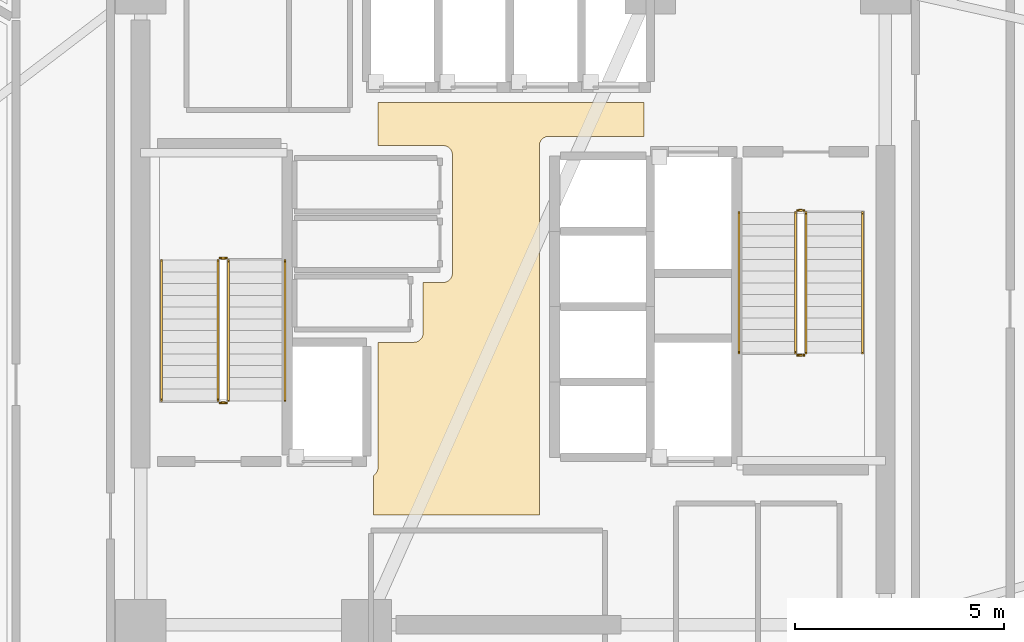
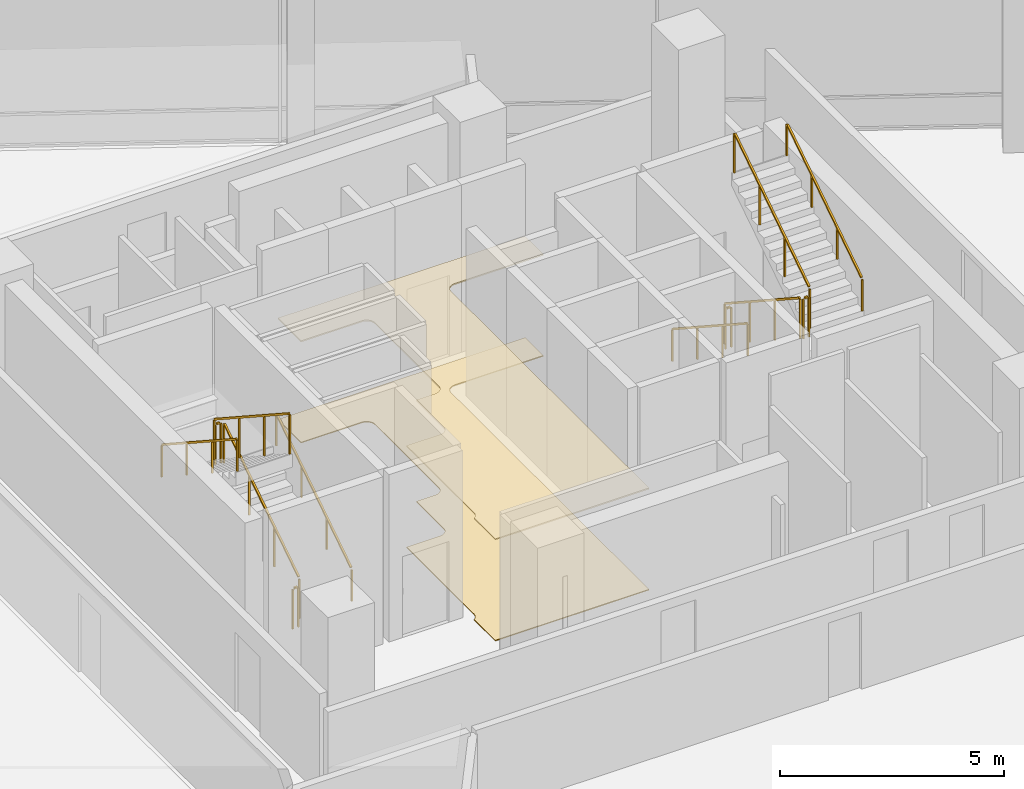
# One storey, part 18 of 19: 12 railings, 2 coverings.
"""IFC4 building model written with IfcOpenShell, lengths in metres."""

from ifc_helpers import new_model, si_unit, direction, frame, origin, origin_2d, place, context, subcontext, project, spatial, polyline, rectangle, outline, extrude, material, layer, layer_set, type_object, element, save


model = new_model("IFC4")

# Units and contexts
model_context = context("Model", 3, precision=1e-05, world=origin(), true_north=direction((0.0, 1.0)))
body_context = subcontext(model_context, "Body", "Model", "MODEL_VIEW")
ifc_project = project(units=[si_unit("LENGTHUNIT", "METRE"), si_unit("AREAUNIT", "SQUARE_METRE"), si_unit("VOLUMEUNIT", "CUBIC_METRE"), si_unit("PLANEANGLEUNIT", "RADIAN"), si_unit("MASSUNIT", "GRAM", prefix="KILO")], contexts=[model_context])

# Site, building, storey
site_placement = place(None, origin())
site = spatial("IfcSite", under=ifc_project, at=site_placement, CompositionType="ELEMENT")
building_placement = place(site_placement, origin())
building = spatial("IfcBuilding", under=site, at=building_placement, Name="Tharavind Bronze Gate", CompositionType="ELEMENT")
storey_placement = place(building_placement, frame((0.0, 0.0, 160.39990234375)))
storey = spatial("IfcBuildingStorey", under=building, at=storey_placement, Name="L41", CompositionType="ELEMENT", Elevation=160.39990234375)

# Coverings
ifc_material_1 = material(Name="Perforated Bronze Acoustic Panel", Category="bronze")
ifc_layer_1 = layer(ifc_material_1, 0.044921875)
ifc_layer_set_1 = layer_set([ifc_layer_1], Name="Perforated Bronze Acoustic Panel")
covering_type_1 = type_object("IfcCoveringType", Name="ACOUSTIC BRONZE BAFFLE CEILING", PredefinedType="CEILING", material=ifc_layer_set_1)
covering_1_placement = place(storey_placement, frame((0.0, 0.0, 2.75)))
element("IfcCovering", 1, at=covering_1_placement, inside=storey, type_object=covering_type_1, Name="L41-C-LL suspended ceiling", PredefinedType="CEILING", context=body_context, shape_type="SweptSolid", body=[
    extrude(outline(polyline([(-3.330078125, -4.97998046875), (0.6298828125, -4.97998046875), (0.6298828125, 3.85009765625), (0.631103515625, 3.87158203125), (0.63427734375, 3.892822265625), (0.639404296875, 3.913818359375), (0.646728515625, 3.93408203125), (0.656005859375, 3.95361328125), (0.6669921875, 3.97216796875), (0.679931640625, 3.989501953125), (0.6943359375, 4.005615234375), (0.71044921875, 4.02001953125), (0.727783203125, 4.032958984375), (0.746337890625, 4.0439453125), (0.765869140625, 4.05322265625), (0.7861328125, 4.060546875), (0.80712890625, 4.06591796875), (0.828369140625, 4.06884765625), (0.85009765625, 4.070068359375), (3.1298828125, 4.070068359375), (3.1298828125, 4.8798828125), (-3.22998046875, 4.8798828125), (-3.22998046875, 3.85009765625), (-1.669921875, 3.85009765625), (-1.6484375, 3.848876953125), (-1.627197265625, 3.845703125), (-1.606201171875, 3.840576171875), (-1.585693359375, 3.833251953125), (-1.56640625, 3.823974609375), (-1.5478515625, 3.81298828125), (-1.530517578125, 3.800048828125), (-1.514404296875, 3.78564453125), (-1.5, 3.76953125), (-1.487060546875, 3.752197265625), (-1.47607421875, 3.733642578125), (-1.466796875, 3.714111328125), (-1.45947265625, 3.69384765625), (-1.4541015625, 3.6728515625), (-1.451171875, 3.651611328125), (-1.449951171875, 3.6298828125), (-1.449951171875, 0.800048828125), (-1.451171875, 0.7783203125), (-1.4541015625, 0.757080078125), (-1.45947265625, 0.736083984375), (-1.466796875, 0.7158203125), (-1.47607421875, 0.6962890625), (-1.487060546875, 0.677734375), (-1.5, 0.660400390625), (-1.514404296875, 0.644287109375), (-1.530517578125, 0.6298828125), (-1.5478515625, 0.6171875), (-1.56640625, 0.60595703125), (-1.585693359375, 0.5966796875), (-1.606201171875, 0.589599609375), (-1.627197265625, 0.584228515625), (-1.6484375, 0.5810546875), (-1.669921875, 0.580078125), (-2.14990234375, 0.580078125), (-2.14990234375, -0.6298828125), (-2.151123046875, -0.651611328125), (-2.154296875, -0.6728515625), (-2.159423828125, -0.69384765625), (-2.166748046875, -0.714111328125), (-2.176025390625, -0.733642578125), (-2.18701171875, -0.752197265625), (-2.199951171875, -0.76953125), (-2.21435546875, -0.78564453125), (-2.23046875, -0.800048828125), (-2.247802734375, -0.81298828125), (-2.266357421875, -0.823974609375), (-2.285888671875, -0.833251953125), (-2.30615234375, -0.840576171875), (-2.3271484375, -0.845703125), (-2.348388671875, -0.848876953125), (-2.3701171875, -0.85009765625), (-3.22998046875, -0.85009765625), (-3.22998046875, -3.85009765625), (-3.231201171875, -3.87158203125), (-3.234130859375, -3.892822265625), (-3.239501953125, -3.913818359375), (-3.24658203125, -3.93408203125), (-3.256103515625, -3.95361328125), (-3.26708984375, -3.97216796875), (-3.27978515625, -3.989501953125), (-3.29443359375, -4.005615234375), (-3.310302734375, -4.02001953125), (-3.327880859375, -4.032958984375), (-3.330078125, -4.0341796875), (-3.330078125, -4.97998046875)])), origin(), (0.0, 0.0, 1.0), 0.03515625),
])
ifc_material_2 = material(Name="Honed Travertine Limestone", Category="masonry")
ifc_layer_2 = layer(ifc_material_2, 0.030029296875)
ifc_layer_set_2 = layer_set([ifc_layer_2], Name="Honed Travertine Limestone")
covering_type_2 = type_object("IfcCoveringType", Name="HONED LIMESTONE FLOORING", PredefinedType="FLOORING", material=ifc_layer_set_2)
covering_2_placement = place(storey_placement, origin())
element("IfcCovering", 2, at=covering_2_placement, inside=storey, type_object=covering_type_2, Name="L41-C-LL floor finish", PredefinedType="FLOORING", context=body_context, shape_type="SweptSolid", body=[
    extrude(outline(polyline([(-3.330078125, -4.97998046875), (0.6298828125, -4.97998046875), (0.6298828125, 3.85009765625), (0.631103515625, 3.87158203125), (0.63427734375, 3.892822265625), (0.639404296875, 3.913818359375), (0.646728515625, 3.93408203125), (0.656005859375, 3.95361328125), (0.6669921875, 3.97216796875), (0.679931640625, 3.989501953125), (0.6943359375, 4.005615234375), (0.71044921875, 4.02001953125), (0.727783203125, 4.032958984375), (0.746337890625, 4.0439453125), (0.765869140625, 4.05322265625), (0.7861328125, 4.060546875), (0.80712890625, 4.06591796875), (0.828369140625, 4.06884765625), (0.85009765625, 4.070068359375), (3.1298828125, 4.070068359375), (3.1298828125, 4.8798828125), (-3.22998046875, 4.8798828125), (-3.22998046875, 3.85009765625), (-1.669921875, 3.85009765625), (-1.6484375, 3.848876953125), (-1.627197265625, 3.845703125), (-1.606201171875, 3.840576171875), (-1.585693359375, 3.833251953125), (-1.56640625, 3.823974609375), (-1.5478515625, 3.81298828125), (-1.530517578125, 3.800048828125), (-1.514404296875, 3.78564453125), (-1.5, 3.76953125), (-1.487060546875, 3.752197265625), (-1.47607421875, 3.733642578125), (-1.466796875, 3.714111328125), (-1.45947265625, 3.69384765625), (-1.4541015625, 3.6728515625), (-1.451171875, 3.651611328125), (-1.449951171875, 3.6298828125), (-1.449951171875, 0.800048828125), (-1.451171875, 0.7783203125), (-1.4541015625, 0.757080078125), (-1.45947265625, 0.736083984375), (-1.466796875, 0.7158203125), (-1.47607421875, 0.6962890625), (-1.487060546875, 0.677734375), (-1.5, 0.660400390625), (-1.514404296875, 0.644287109375), (-1.530517578125, 0.6298828125), (-1.5478515625, 0.6171875), (-1.56640625, 0.60595703125), (-1.585693359375, 0.5966796875), (-1.606201171875, 0.589599609375), (-1.627197265625, 0.584228515625), (-1.6484375, 0.5810546875), (-1.669921875, 0.580078125), (-2.14990234375, 0.580078125), (-2.14990234375, -0.6298828125), (-2.151123046875, -0.651611328125), (-2.154296875, -0.6728515625), (-2.159423828125, -0.69384765625), (-2.166748046875, -0.714111328125), (-2.176025390625, -0.733642578125), (-2.18701171875, -0.752197265625), (-2.199951171875, -0.76953125), (-2.21435546875, -0.78564453125), (-2.23046875, -0.800048828125), (-2.247802734375, -0.81298828125), (-2.266357421875, -0.823974609375), (-2.285888671875, -0.833251953125), (-2.30615234375, -0.840576171875), (-2.3271484375, -0.845703125), (-2.348388671875, -0.848876953125), (-2.3701171875, -0.85009765625), (-3.22998046875, -0.85009765625), (-3.22998046875, -3.85009765625), (-3.231201171875, -3.87158203125), (-3.234130859375, -3.892822265625), (-3.239501953125, -3.913818359375), (-3.24658203125, -3.93408203125), (-3.256103515625, -3.95361328125), (-3.26708984375, -3.97216796875), (-3.27978515625, -3.989501953125), (-3.29443359375, -4.005615234375), (-3.310302734375, -4.02001953125), (-3.327880859375, -4.032958984375), (-3.330078125, -4.0341796875), (-3.330078125, -4.97998046875)])), origin(), (0.0, 0.0, 1.0), 0.025146484375),
])

# Railings
ifc_material_3 = material(Name="Brushed Bronze Alloy", Category="metal")
railing_type_1 = type_object("IfcRailingType", Name="STAIR BRONZE HANDRAIL 900", PredefinedType="HANDRAIL", material=ifc_material_3)
railing_1_placement = place(storey_placement, frame((-5.449951171875, -2.25, 0.182861328125)))
element("IfcRailing", 3, at=railing_1_placement, inside=storey, type_object=railing_type_1, Name="L41 ST1 stair handrail 1", PredefinedType="HANDRAIL", context=body_context, shape_type="SweptSolid", body=[
    extrude(rectangle(XDim=0.048095703125, YDim=0.048095703125, at=origin_2d()), frame((0.0, 0.02685546875, 0.893310546875), z_axis=(0.0, 0.837523422355, 0.546401424785), x_axis=(-1.0, 0.0, 0.0)), (0.0, 0.0, 1.0), 3.947998046875),
    extrude(rectangle(XDim=0.0400390625, YDim=0.0400390625, at=origin_2d()), origin(), (0.0, 0.0, 1.0), 0.847900390625),
    extrude(rectangle(XDim=0.0400390625, YDim=0.0400390625, at=origin_2d()), frame((0.0, 1.1201171875, 0.730712890625)), (0.0, 0.0, 1.0), 0.847900390625),
    extrude(rectangle(XDim=0.0400390625, YDim=0.0400390625, at=origin_2d()), frame((0.0, 2.239990234375, 1.46142578125)), (0.0, 0.0, 1.0), 0.847900390625),
    extrude(rectangle(XDim=0.0400390625, YDim=0.0400390625, at=origin_2d()), frame((0.0, 3.360107421875, 2.192138671875)), (0.0, 0.0, 1.0), 0.847900390625),
])
for number, where, name in (
    (4, (-8.39990234375, 1.110107421875, 2.557861328125), "L41 ST1 stair handrail 2"),
    (5, (5.39990234375, 2.25, 0.182861328125), "L41 ST2 stair handrail 1"),
):
    element("IfcRailing", number, at=place(storey_placement, frame(where)), inside=storey, type_object=railing_type_1, Name=name, PredefinedType="HANDRAIL", context=body_context, shape_type="SweptSolid", body=[
        extrude(rectangle(XDim=0.048095703125, YDim=0.048095703125, at=origin_2d()), frame((0.0, -0.02685546875, 0.893310546875), z_axis=(0.0, -0.837523422355, 0.546401424785), x_axis=(1.0, 0.0, 0.0)), (0.0, 0.0, 1.0), 3.947998046875),
        extrude(rectangle(XDim=0.0400390625, YDim=0.0400390625, at=origin_2d()), origin(), (0.0, 0.0, 1.0), 0.847900390625),
        extrude(rectangle(XDim=0.0400390625, YDim=0.0400390625, at=origin_2d()), frame((0.0, -1.1201171875, 0.730712890625)), (0.0, 0.0, 1.0), 0.847900390625),
        extrude(rectangle(XDim=0.0400390625, YDim=0.0400390625, at=origin_2d()), frame((0.0, -2.239990234375, 1.46142578125)), (0.0, 0.0, 1.0), 0.847900390625),
        extrude(rectangle(XDim=0.0400390625, YDim=0.0400390625, at=origin_2d()), frame((0.0, -3.360107421875, 2.192138671875)), (0.0, 0.0, 1.0), 0.847900390625),
    ])
railing_2_placement = place(storey_placement, frame((8.35009765625, -1.110107421875, 2.557861328125)))
element("IfcRailing", 6, at=railing_2_placement, inside=storey, type_object=railing_type_1, Name="L41 ST2 stair handrail 2", PredefinedType="HANDRAIL", context=body_context, shape_type="SweptSolid", body=[
    extrude(rectangle(XDim=0.048095703125, YDim=0.048095703125, at=origin_2d()), frame((0.0, 0.02685546875, 0.893310546875), z_axis=(0.0, 0.837523422355, 0.546401424785), x_axis=(-1.0, 0.0, 0.0)), (0.0, 0.0, 1.0), 3.947998046875),
    extrude(rectangle(XDim=0.0400390625, YDim=0.0400390625, at=origin_2d()), origin(), (0.0, 0.0, 1.0), 0.847900390625),
    extrude(rectangle(XDim=0.0400390625, YDim=0.0400390625, at=origin_2d()), frame((0.0, 1.1201171875, 0.730712890625)), (0.0, 0.0, 1.0), 0.847900390625),
    extrude(rectangle(XDim=0.0400390625, YDim=0.0400390625, at=origin_2d()), frame((0.0, 2.239990234375, 1.46142578125)), (0.0, 0.0, 1.0), 0.847900390625),
    extrude(rectangle(XDim=0.0400390625, YDim=0.0400390625, at=origin_2d()), frame((0.0, 3.360107421875, 2.192138671875)), (0.0, 0.0, 1.0), 0.847900390625),
])
railing_type_2 = type_object("IfcRailingType", Name="STAIR WELL GUARD RAILING 1120", PredefinedType="GUARDRAIL", material=ifc_material_3)
railing_3_placement = place(storey_placement, frame((-6.800048828125, -2.25, 0.182861328125)))
element("IfcRailing", 7, at=railing_3_placement, inside=storey, type_object=railing_type_2, Name="L41 ST1 stair guard 1", PredefinedType="GUARDRAIL", context=body_context, shape_type="SweptSolid", body=[
    extrude(rectangle(XDim=0.048095703125, YDim=0.048095703125, at=origin_2d()), frame((0.0, 0.02685546875, 1.113525390625), z_axis=(0.0, 0.837523422355, 0.546401424785), x_axis=(-1.0, 0.0, 0.0)), (0.0, 0.0, 1.0), 3.947998046875),
    extrude(rectangle(XDim=0.0400390625, YDim=0.0400390625, at=origin_2d()), origin(), (0.0, 0.0, 1.0), 1.068115234375),
    extrude(rectangle(XDim=0.0400390625, YDim=0.0400390625, at=origin_2d()), frame((0.0, 1.1201171875, 0.730712890625)), (0.0, 0.0, 1.0), 1.068115234375),
    extrude(rectangle(XDim=0.0400390625, YDim=0.0400390625, at=origin_2d()), frame((0.0, 2.239990234375, 1.46142578125)), (0.0, 0.0, 1.0), 1.068115234375),
    extrude(rectangle(XDim=0.0400390625, YDim=0.0400390625, at=origin_2d()), frame((0.0, 3.360107421875, 2.192138671875)), (0.0, 0.0, 1.0), 1.068115234375),
])
railing_4_placement = place(storey_placement, frame((-6.85009765625, 1.159912109375, 2.375)))
element("IfcRailing", 8, at=railing_4_placement, inside=storey, type_object=railing_type_2, Name="L41 ST1 stair guard 2", PredefinedType="GUARDRAIL", context=body_context, shape_type="SweptSolid", body=[
    extrude(rectangle(XDim=0.048095703125, YDim=0.048095703125, at=origin_2d()), frame((-0.031982421875, 0.0, 1.09619140625), z_axis=(-1.0, 0.0, 0.0), x_axis=(0.0, -1.0, 0.0)), (0.0, 0.0, 1.0), 0.0859375),
    extrude(rectangle(XDim=0.0400390625, YDim=0.0400390625, at=origin_2d()), origin(), (0.0, 0.0, 1.0), 1.068115234375),
    extrude(rectangle(XDim=0.0400390625, YDim=0.0400390625, at=origin_2d()), frame((-0.14990234375, 0.0, 0.0)), (0.0, 0.0, 1.0), 1.068115234375),
])
railing_5_placement = place(storey_placement, frame((-7.050048828125, 1.110107421875, 2.557861328125)))
element("IfcRailing", 9, at=railing_5_placement, inside=storey, type_object=railing_type_2, Name="L41 ST1 stair guard 3", PredefinedType="GUARDRAIL", context=body_context, shape_type="SweptSolid", body=[
    extrude(rectangle(XDim=0.048095703125, YDim=0.048095703125, at=origin_2d()), frame((0.0, -0.02685546875, 1.113525390625), z_axis=(0.0, -0.837523422355, 0.546401424785), x_axis=(1.0, 0.0, 0.0)), (0.0, 0.0, 1.0), 3.947998046875),
    extrude(rectangle(XDim=0.0400390625, YDim=0.0400390625, at=origin_2d()), origin(), (0.0, 0.0, 1.0), 1.068115234375),
    extrude(rectangle(XDim=0.0400390625, YDim=0.0400390625, at=origin_2d()), frame((0.0, -1.1201171875, 0.730712890625)), (0.0, 0.0, 1.0), 1.068115234375),
    extrude(rectangle(XDim=0.0400390625, YDim=0.0400390625, at=origin_2d()), frame((0.0, -2.239990234375, 1.46142578125)), (0.0, 0.0, 1.0), 1.068115234375),
    extrude(rectangle(XDim=0.0400390625, YDim=0.0400390625, at=origin_2d()), frame((0.0, -3.360107421875, 2.192138671875)), (0.0, 0.0, 1.0), 1.068115234375),
])
railing_6_placement = place(storey_placement, frame((-6.85009765625, -2.300048828125, 0.0)))
element("IfcRailing", 10, at=railing_6_placement, inside=storey, type_object=railing_type_2, Name="L41 ST1 stair guard 4", PredefinedType="GUARDRAIL", context=body_context, shape_type="SweptSolid", body=[
    extrude(rectangle(XDim=0.048095703125, YDim=0.048095703125, at=origin_2d()), frame((-0.031982421875, 0.0, 1.09619140625), z_axis=(-1.0, 0.0, 0.0), x_axis=(0.0, -1.0, 0.0)), (0.0, 0.0, 1.0), 0.0859375),
    extrude(rectangle(XDim=0.0400390625, YDim=0.0400390625, at=origin_2d()), origin(), (0.0, 0.0, 1.0), 1.068115234375),
    extrude(rectangle(XDim=0.0400390625, YDim=0.0400390625, at=origin_2d()), frame((-0.14990234375, 0.0, 0.0)), (0.0, 0.0, 1.0), 1.068115234375),
])
railing_7_placement = place(storey_placement, frame((6.75, 2.25, 0.182861328125)))
element("IfcRailing", 11, at=railing_7_placement, inside=storey, type_object=railing_type_2, Name="L41 ST2 stair guard 1", PredefinedType="GUARDRAIL", context=body_context, shape_type="SweptSolid", body=[
    extrude(rectangle(XDim=0.048095703125, YDim=0.048095703125, at=origin_2d()), frame((0.0, -0.02685546875, 1.113525390625), z_axis=(0.0, -0.837523422355, 0.546401424785), x_axis=(1.0, 0.0, 0.0)), (0.0, 0.0, 1.0), 3.947998046875),
    extrude(rectangle(XDim=0.0400390625, YDim=0.0400390625, at=origin_2d()), origin(), (0.0, 0.0, 1.0), 1.068115234375),
    extrude(rectangle(XDim=0.0400390625, YDim=0.0400390625, at=origin_2d()), frame((0.0, -1.1201171875, 0.730712890625)), (0.0, 0.0, 1.0), 1.068115234375),
    extrude(rectangle(XDim=0.0400390625, YDim=0.0400390625, at=origin_2d()), frame((0.0, -2.239990234375, 1.46142578125)), (0.0, 0.0, 1.0), 1.068115234375),
    extrude(rectangle(XDim=0.0400390625, YDim=0.0400390625, at=origin_2d()), frame((0.0, -3.360107421875, 2.192138671875)), (0.0, 0.0, 1.0), 1.068115234375),
])
railing_8_placement = place(storey_placement, frame((6.800048828125, -1.159912109375, 2.375)))
element("IfcRailing", 12, at=railing_8_placement, inside=storey, type_object=railing_type_2, Name="L41 ST2 stair guard 2", PredefinedType="GUARDRAIL", context=body_context, shape_type="SweptSolid", body=[
    extrude(rectangle(XDim=0.048095703125, YDim=0.048095703125, at=origin_2d()), frame((0.031982421875, 0.0, 1.09619140625), z_axis=(1.0, 0.0, 0.0), x_axis=(0.0, 1.0, 0.0)), (0.0, 0.0, 1.0), 0.0859375),
    extrude(rectangle(XDim=0.0400390625, YDim=0.0400390625, at=origin_2d()), origin(), (0.0, 0.0, 1.0), 1.068115234375),
    extrude(rectangle(XDim=0.0400390625, YDim=0.0400390625, at=origin_2d()), frame((0.14990234375, 0.0, 0.0)), (0.0, 0.0, 1.0), 1.068115234375),
])
railing_9_placement = place(storey_placement, frame((7.0, -1.110107421875, 2.557861328125)))
element("IfcRailing", 13, at=railing_9_placement, inside=storey, type_object=railing_type_2, Name="L41 ST2 stair guard 3", PredefinedType="GUARDRAIL", context=body_context, shape_type="SweptSolid", body=[
    extrude(rectangle(XDim=0.048095703125, YDim=0.048095703125, at=origin_2d()), frame((0.0, 0.02685546875, 1.113525390625), z_axis=(0.0, 0.837523422355, 0.546401424785), x_axis=(-1.0, 0.0, 0.0)), (0.0, 0.0, 1.0), 3.947998046875),
    extrude(rectangle(XDim=0.0400390625, YDim=0.0400390625, at=origin_2d()), origin(), (0.0, 0.0, 1.0), 1.068115234375),
    extrude(rectangle(XDim=0.0400390625, YDim=0.0400390625, at=origin_2d()), frame((0.0, 1.1201171875, 0.730712890625)), (0.0, 0.0, 1.0), 1.068115234375),
    extrude(rectangle(XDim=0.0400390625, YDim=0.0400390625, at=origin_2d()), frame((0.0, 2.239990234375, 1.46142578125)), (0.0, 0.0, 1.0), 1.068115234375),
    extrude(rectangle(XDim=0.0400390625, YDim=0.0400390625, at=origin_2d()), frame((0.0, 3.360107421875, 2.192138671875)), (0.0, 0.0, 1.0), 1.068115234375),
])
railing_10_placement = place(storey_placement, frame((6.800048828125, 2.300048828125, 0.0)))
element("IfcRailing", 14, at=railing_10_placement, inside=storey, type_object=railing_type_2, Name="L41 ST2 stair guard 4", PredefinedType="GUARDRAIL", context=body_context, shape_type="SweptSolid", body=[
    extrude(rectangle(XDim=0.048095703125, YDim=0.048095703125, at=origin_2d()), frame((0.031982421875, 0.0, 1.09619140625), z_axis=(1.0, 0.0, 0.0), x_axis=(0.0, 1.0, 0.0)), (0.0, 0.0, 1.0), 0.0859375),
    extrude(rectangle(XDim=0.0400390625, YDim=0.0400390625, at=origin_2d()), origin(), (0.0, 0.0, 1.0), 1.068115234375),
    extrude(rectangle(XDim=0.0400390625, YDim=0.0400390625, at=origin_2d()), frame((0.14990234375, 0.0, 0.0)), (0.0, 0.0, 1.0), 1.068115234375),
])

save(model, "model.ifc")
